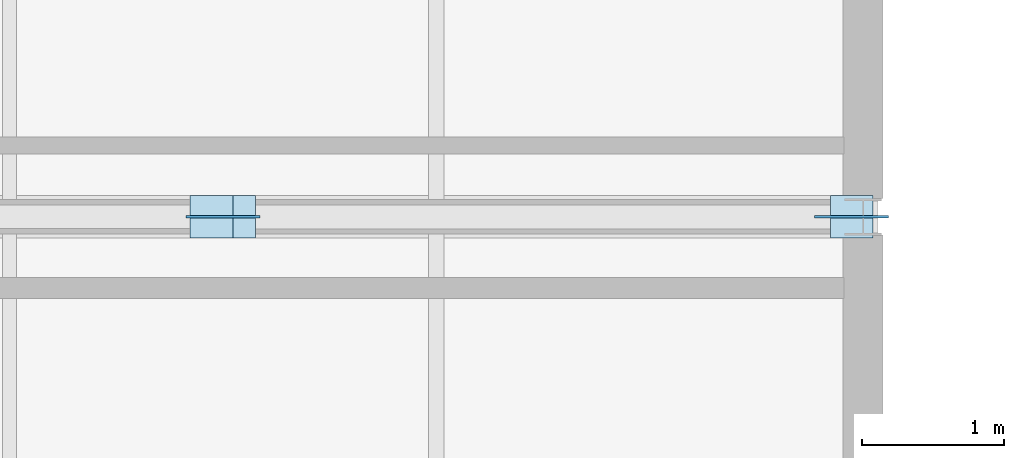
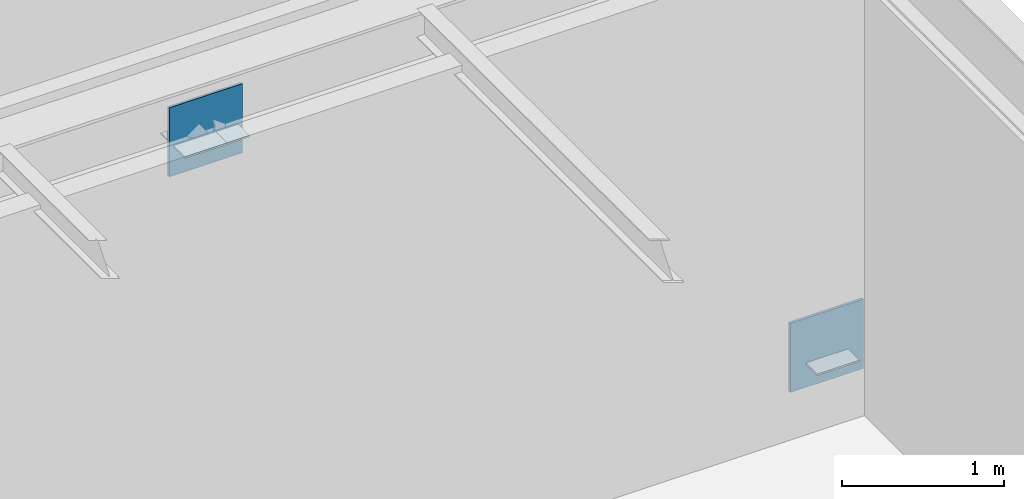
# One storey, part 10 of 17: 5 plates.
"""IFC4 building model written with IfcOpenShell, lengths in metres."""

from ifc_helpers import new_model, si_unit, direction, frame, origin, origin_2d, place, context, subcontext, project, spatial, rectangle, extrude, material, layer, layer_set, type_object, element, save


model = new_model("IFC4")

# Units and contexts
model_context = context("Model", 3, precision=1e-05, world=origin(), true_north=direction((0.0, 1.0)))
body_context = subcontext(model_context, "Body", "Model", "MODEL_VIEW")
ifc_project = project(units=[si_unit("LENGTHUNIT", "METRE"), si_unit("AREAUNIT", "SQUARE_METRE"), si_unit("VOLUMEUNIT", "CUBIC_METRE"), si_unit("PLANEANGLEUNIT", "RADIAN"), si_unit("MASSUNIT", "GRAM", prefix="KILO")], contexts=[model_context])

# Site, building, storey
site_placement = place(None, origin())
site = spatial("IfcSite", under=ifc_project, at=site_placement, CompositionType="ELEMENT")
building_placement = place(site_placement, origin())
building = spatial("IfcBuilding", under=site, at=building_placement, Name="Montelvaro Courts of Justice", CompositionType="ELEMENT")
storey_placement = place(building_placement, frame((0.0, 0.0, 31.39990234375)))
storey = spatial("IfcBuildingStorey", under=building, at=storey_placement, Name="L07", CompositionType="ELEMENT", Elevation=31.39990234375)

# Plates
ifc_material = material(Name="Steel S355", Category="steel")
ifc_layer_1 = layer(ifc_material, 0.011962890625)
ifc_layer_set_1 = layer_set([ifc_layer_1], Name="Steel S355")
plate_type_1 = type_object("IfcPlateType", Name="EndCapPlate_12", PredefinedType="USERDEFINED", material=ifc_layer_set_1)
for number, where, z_axis, x_axis, name in (
    (1, (121.419921875, 12.0, 3.2841796875), (0.0, 0.0, 1.0), (1.0, 0.0, 0.0), "Brace End Cap Plate CP-01 CBF2-L07-1B"),
    (2, (125.919921875, 12.0, 0.07421875), (0.0, 0.0, 1.0), (1.0, 0.0, 0.0), "Brace End Cap Plate CP-01 CBF2-L07-2A"),
    (3, (121.580078125, 12.0, 3.2841796875), (0.0, 0.0, 1.0), (1.0, 0.0, 0.0), "Brace End Cap Plate CP-01 CBF2-L07-2B"),
):
    element("IfcPlate", number, at=place(storey_placement, frame(where, z_axis=z_axis, x_axis=x_axis)), inside=storey, type_object=plate_type_1, Name=name, ObjectType="GUSSET PLATE", PredefinedType="USERDEFINED", context=body_context, shape_type="SweptSolid", body=[
        extrude(rectangle(XDim=0.300048828125, YDim=0.300048828125, at=origin_2d()), origin(), (0.0, 0.0, 1.0), 0.011962890625),
    ])
ifc_layer_2 = layer(ifc_material, 0.02001953125)
ifc_layer_set_2 = layer_set([ifc_layer_2], Name="Steel S355")
plate_type_2 = type_object("IfcPlateType", Name="GussetPlate_20", PredefinedType="USERDEFINED", material=ifc_layer_set_2)
for number, where, z_axis, x_axis, name in (
    (4, (125.919921875, 12.0, -0.099853515625), (0.0, 0.0, 1.0), (1.0, 0.0, 0.0), "Chevron Brace Base Gusset Plate GP-01 CBF2-L07-B2"),
    (5, (121.5, 12.0, 3.070068359375), (0.0, 0.0, 1.0), (1.0, 0.0, 0.0), "Chevron Brace Gusset Plate GP-01 CBF2-L07"),
):
    element("IfcPlate", number, at=place(storey_placement, frame(where, z_axis=z_axis, x_axis=x_axis)), inside=storey, type_object=plate_type_2, Name=name, ObjectType="GUSSET PLATE", PredefinedType="USERDEFINED", context=body_context, shape_type="SweptSolid", body=[
        extrude(rectangle(XDim=0.52001953125, YDim=0.02001953125, at=origin_2d()), origin(), (0.0, 0.0, 1.0), 0.52001953125),
    ])

save(model, "model.ifc")
